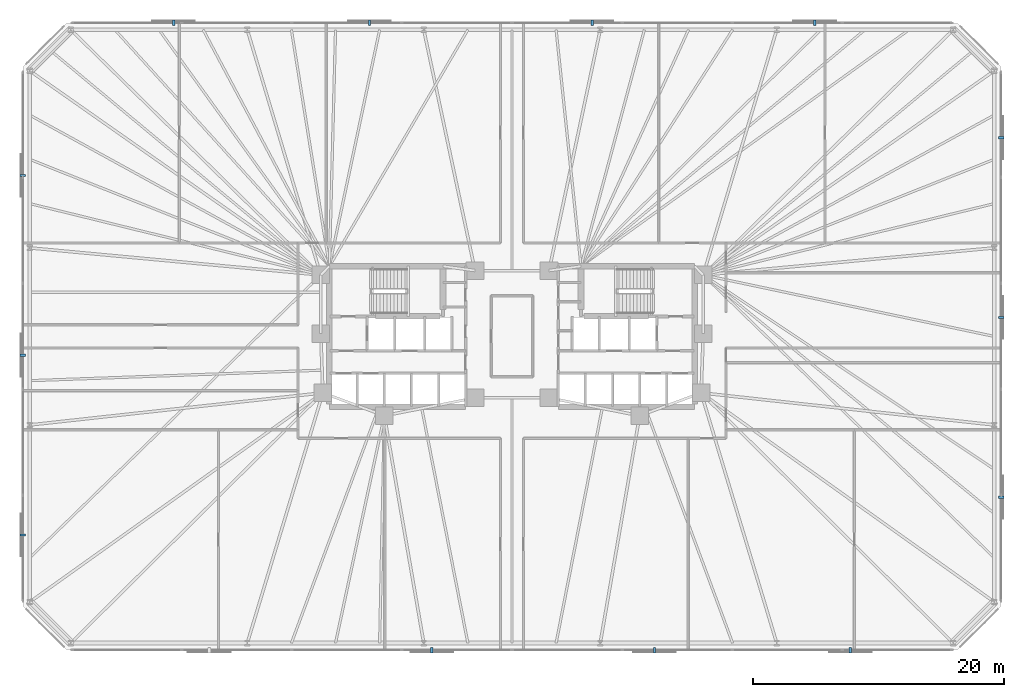
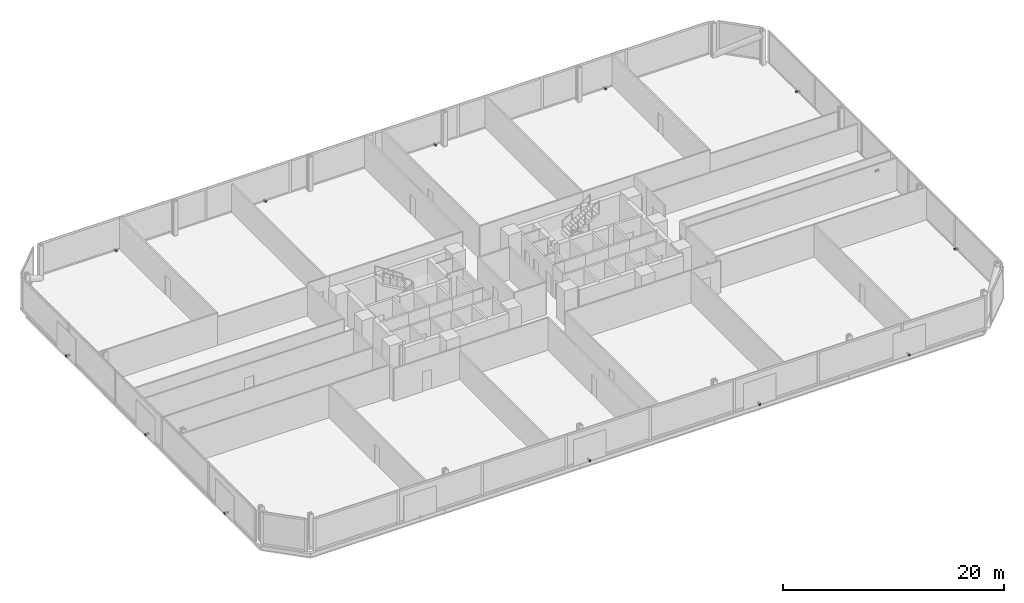
# One storey, part 16 of 17: 13 discrete accessories.
"""IFC4 building model written with IfcOpenShell, lengths in metres."""

from ifc_helpers import new_model, si_unit, direction, frame, origin, origin_2d, place, context, subcontext, project, spatial, rectangle, extrude, material, type_object, element, save


model = new_model("IFC4")

# Units and contexts
model_context = context("Model", 3, precision=1e-05, world=origin(), true_north=direction((0.0, 1.0)))
body_context = subcontext(model_context, "Body", "Model", "MODEL_VIEW")
ifc_project = project(units=[si_unit("LENGTHUNIT", "METRE"), si_unit("AREAUNIT", "SQUARE_METRE"), si_unit("VOLUMEUNIT", "CUBIC_METRE"), si_unit("PLANEANGLEUNIT", "RADIAN"), si_unit("MASSUNIT", "GRAM", prefix="KILO")], contexts=[model_context])

# Site, building, storey
site_placement = place(None, origin())
site = spatial("IfcSite", under=ifc_project, at=site_placement, CompositionType="ELEMENT")
building_placement = place(site_placement, origin())
building = spatial("IfcBuilding", under=site, at=building_placement, Name="Menara Jurai Vektor", CompositionType="ELEMENT")
storey_placement = place(building_placement, frame((0.0, 0.0, 18.0)))
storey = spatial("IfcBuildingStorey", under=building, at=storey_placement, Name="L03", CompositionType="ELEMENT", Elevation=18.0)

# Discrete accessories
ifc_material = material(Name="Steel S355", Category="steel")
discrete_accessory_type = type_object("IfcDiscreteAccessoryType", Name="ENV-ACC-BRACKET", PredefinedType="BRACKET", material=ifc_material)
for number, where, z_axis, x_axis, name in (
    (1, (-6.389892578125, -25.010009765625, -0.1298828125), (0.0, 0.0, 1.0), (1.0, 0.0, 0.0), "Solar Screen Stand-Off Bracket L03-S02"),
    (2, (11.360107421875, -25.010009765625, -0.1298828125), (0.0, 0.0, 1.0), (1.0, 0.0, 0.0), "Solar Screen Stand-Off Bracket L03-S03"),
    (3, (26.97998046875, -25.010009765625, -0.1298828125), (0.0, 0.0, 1.0), (1.0, 0.0, 0.0), "Solar Screen Stand-Off Bracket L03-S04"),
    (4, (39.010009765625, -12.828369140625, -0.1298828125), (0.0, 0.0, 1.0), (0.0, 1.0, 0.0), "Solar Screen Stand-Off Bracket L03-S05"),
    (5, (39.010009765625, 1.5048828125, -0.1298828125), (0.0, 0.0, 1.0), (0.0, 1.0, 0.0), "Solar Screen Stand-Off Bracket L03-S06"),
    (6, (39.010009765625, 15.83837890625, -0.1298828125), (0.0, 0.0, 1.0), (0.0, 1.0, 0.0), "Solar Screen Stand-Off Bracket L03-S07"),
    (7, (24.139892578125, 25.010009765625, -0.1298828125), (0.0, 0.0, 1.0), (-1.0, 0.0, 0.0), "Solar Screen Stand-Off Bracket L03-S08"),
    (8, (6.389892578125, 25.010009765625, -0.1298828125), (0.0, 0.0, 1.0), (-1.0, 0.0, 0.0), "Solar Screen Stand-Off Bracket L03-S09"),
    (9, (-11.360107421875, 25.010009765625, -0.1298828125), (0.0, 0.0, 1.0), (-1.0, 0.0, 0.0), "Solar Screen Stand-Off Bracket L03-S10"),
    (10, (-26.97998046875, 25.010009765625, -0.1298828125), (0.0, 0.0, 1.0), (-1.0, 0.0, 0.0), "Solar Screen Stand-Off Bracket L03-S11"),
    (11, (-39.010009765625, 12.828369140625, -0.1298828125), (0.0, 0.0, 1.0), (0.0, -1.0, 0.0), "Solar Screen Stand-Off Bracket L03-S12"),
    (12, (-39.010009765625, -1.5048828125, -0.1298828125), (0.0, 0.0, 1.0), (0.0, -1.0, 0.0), "Solar Screen Stand-Off Bracket L03-S13"),
    (13, (-39.010009765625, -15.83837890625, -0.1298828125), (0.0, 0.0, 1.0), (0.0, -1.0, 0.0), "Solar Screen Stand-Off Bracket L03-S14"),
):
    element("IfcDiscreteAccessory", number, at=place(storey_placement, frame(where, z_axis=z_axis, x_axis=x_axis)), inside=storey, type_object=discrete_accessory_type, Name=name, PredefinedType="BRACKET", context=body_context, shape_type="SweptSolid", body=[
        extrude(rectangle(XDim=0.179931640625, YDim=0.43994140625, at=origin_2d()), origin(), (0.0, 0.0, 1.0), 0.219970703125),
    ])

save(model, "model.ifc")
